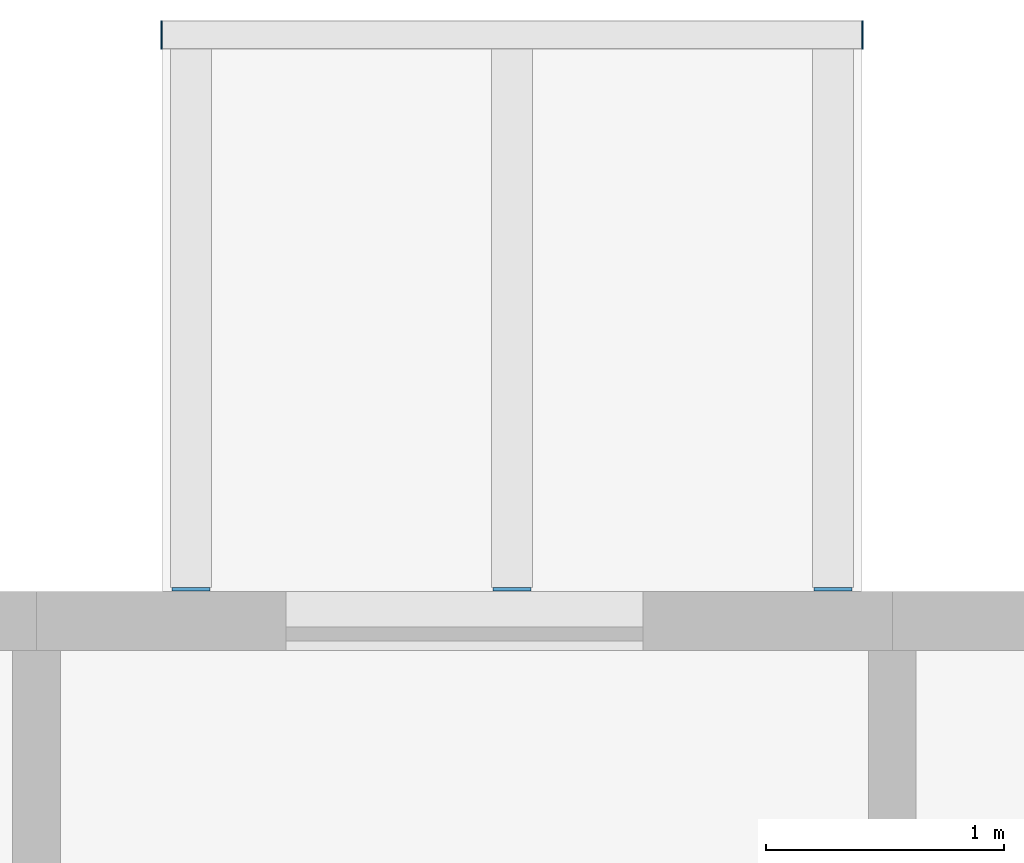
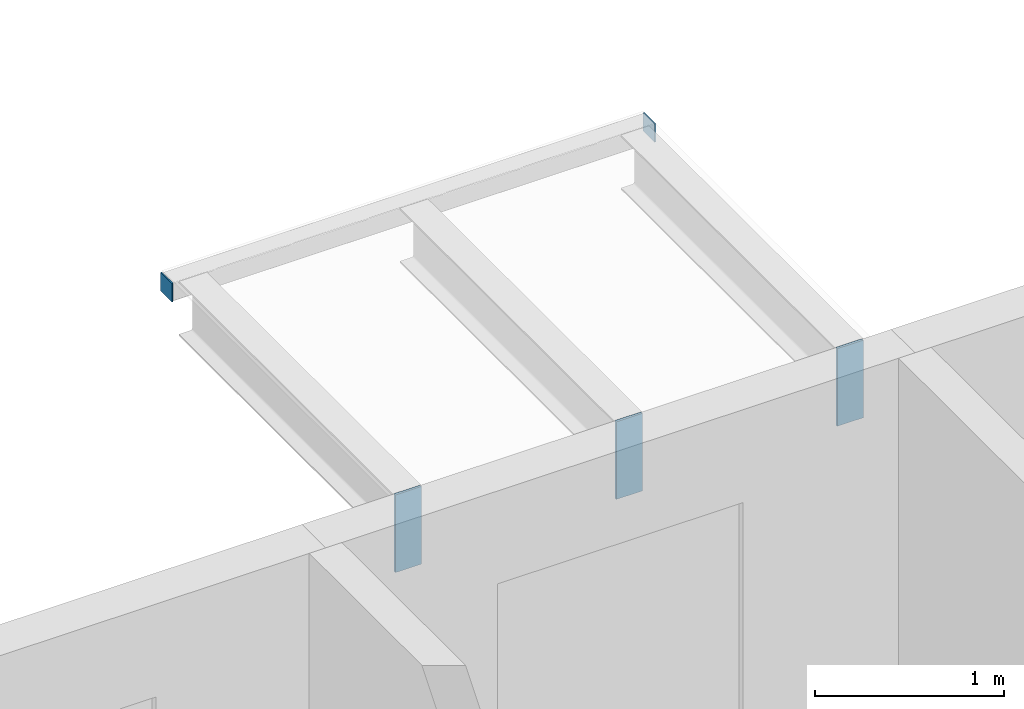
# One storey, part 69 of 94: 5 discrete accessories.
"""IFC4 building model written with IfcOpenShell, lengths in metres."""

from ifc_helpers import new_model, si_unit, direction, frame, origin, origin_2d, place, context, subcontext, project, spatial, rectangle, extrude, material, layer, layer_set, type_object, element, save


model = new_model("IFC4")

# Units and contexts
model_context = context("Model", 3, precision=1e-05, world=origin(), true_north=direction((0.0, 1.0)))
body_context = subcontext(model_context, "Body", "Model", "MODEL_VIEW")
ifc_project = project(units=[si_unit("LENGTHUNIT", "METRE"), si_unit("AREAUNIT", "SQUARE_METRE"), si_unit("VOLUMEUNIT", "CUBIC_METRE"), si_unit("PLANEANGLEUNIT", "RADIAN"), si_unit("MASSUNIT", "GRAM", prefix="KILO")], contexts=[model_context])

# Site, building, storey
site_placement = place(None, origin())
site = spatial("IfcSite", under=ifc_project, at=site_placement, CompositionType="ELEMENT")
building_placement = place(site_placement, origin())
building = spatial("IfcBuilding", under=site, at=building_placement, Name="Ridgestep Commons", CompositionType="ELEMENT")
storey_placement = place(building_placement, frame((0.0, 0.0, 21.0)))
storey = spatial("IfcBuildingStorey", under=building, at=storey_placement, Name="L07", CompositionType="ELEMENT", Elevation=21.0)

# Discrete accessories
ifc_material_1 = material(Name="Weathering steel S355J2W", Category="steel")
ifc_layer_1 = layer(ifc_material_1, 0.014892578125)
ifc_layer_set_1 = layer_set([ifc_layer_1], Name="Tray bracket plate 15")
discrete_accessory_type_1 = type_object("IfcDiscreteAccessoryType", Name="Tray bracket plate 15", PredefinedType="BRACKET", material=ifc_layer_set_1)
for number, where, z_axis, x_axis, name in (
    (1, (190.64990234375, 77.257568359375, 2.488525390625), (0.0, 0.0, 1.0), (1.0, 0.0, 0.0), "Tray bracket C3T2-08.1"),
    (2, (192.0, 77.257568359375, 2.488525390625), (0.0, 0.0, 1.0), (1.0, 0.0, 0.0), "Tray bracket C3T2-08.2"),
    (3, (193.35009765625, 77.257568359375, 2.488525390625), (0.0, 0.0, 1.0), (1.0, 0.0, 0.0), "Tray bracket C3T2-08.3"),
):
    element("IfcDiscreteAccessory", number, at=place(storey_placement, frame(where, z_axis=z_axis, x_axis=x_axis)), inside=storey, type_object=discrete_accessory_type_1, Name=name, PredefinedType="BRACKET", context=body_context, shape_type="SweptSolid", body=[
        extrude(rectangle(XDim=0.159912109375, YDim=0.014892578125, at=origin_2d()), origin(), (0.0, 0.0, 1.0), 0.50146484375),
    ])
ifc_material_2 = material(Name="Weathering steel S355J2W", Category="steel")
ifc_layer_2 = layer(ifc_material_2, 0.008056640625)
ifc_layer_set_2 = layer_set([ifc_layer_2], Name="Tray edge member end plate 120 x 120 x 8")
discrete_accessory_type_2 = type_object("IfcDiscreteAccessoryType", Name="Tray edge member end plate 120 x 120 x 8", PredefinedType="BRACKET", material=ifc_layer_set_2)
for number, where, z_axis, x_axis, name in (
    (4, (190.52587890625, 79.590087890625, 2.869873046875), (0.0, 0.0, 1.0), (1.0, 0.0, 0.0), "Tray edge member end plate C3T2-08 west"),
    (5, (193.47412109375, 79.590087890625, 2.869873046875), (0.0, 0.0, 1.0), (1.0, 0.0, 0.0), "Tray edge member end plate C3T2-08 east"),
):
    element("IfcDiscreteAccessory", number, at=place(storey_placement, frame(where, z_axis=z_axis, x_axis=x_axis)), inside=storey, type_object=discrete_accessory_type_2, Name=name, PredefinedType="BRACKET", context=body_context, shape_type="SweptSolid", body=[
        extrude(rectangle(XDim=0.008056640625, YDim=0.1201171875, at=origin_2d()), origin(), (0.0, 0.0, 1.0), 0.1201171875),
    ])

save(model, "model.ifc")
